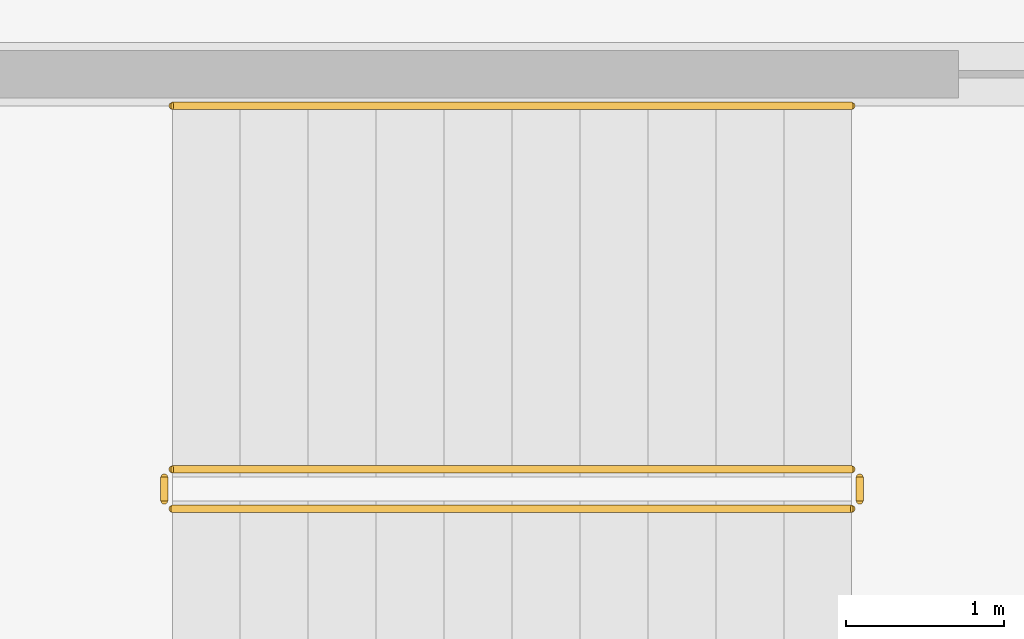
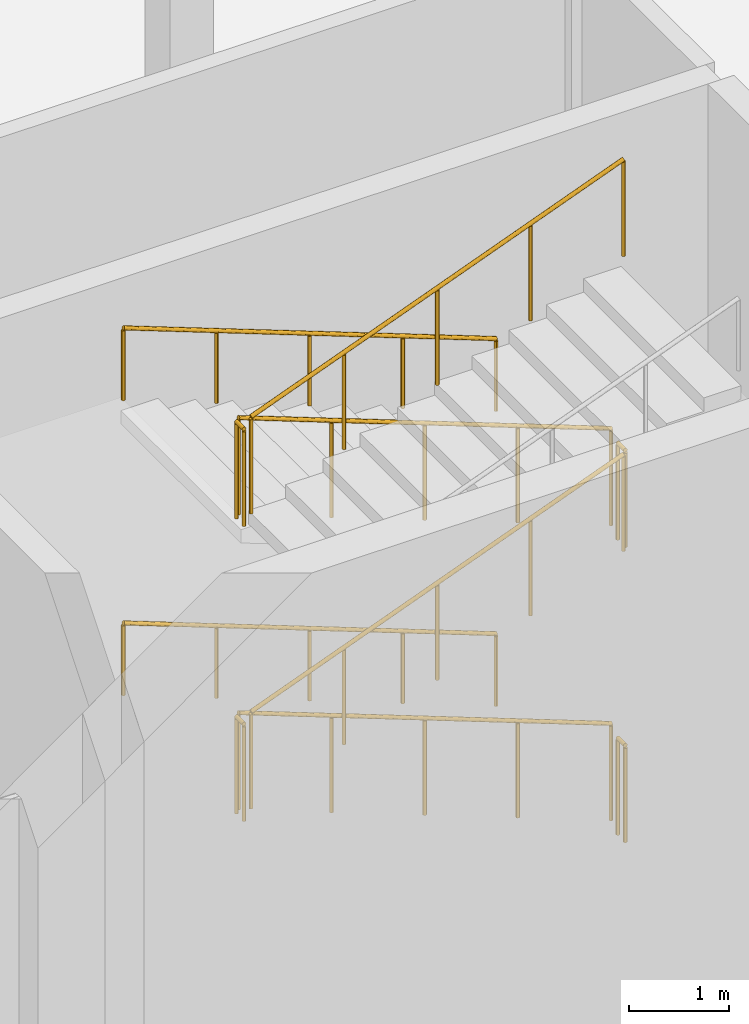
# One storey, part 202 of 239: 10 railings.
"""IFC4 building model written with IfcOpenShell, lengths in metres."""

from ifc_helpers import new_model, si_unit, direction, frame, origin, origin_2d, place, context, subcontext, project, spatial, circle, extrude, material, type_object, element, save


model = new_model("IFC4")

# Units and contexts
model_context = context("Model", 3, precision=1e-05, world=origin(), true_north=direction((0.0, 1.0)))
body_context = subcontext(model_context, "Body", "Model", "MODEL_VIEW")
ifc_project = project(units=[si_unit("LENGTHUNIT", "METRE"), si_unit("AREAUNIT", "SQUARE_METRE"), si_unit("VOLUMEUNIT", "CUBIC_METRE"), si_unit("PLANEANGLEUNIT", "RADIAN"), si_unit("MASSUNIT", "GRAM", prefix="KILO")], contexts=[model_context])

# Site, building, storey
site_placement = place(None, origin())
site = spatial("IfcSite", under=ifc_project, at=site_placement, CompositionType="ELEMENT")
building_placement = place(site_placement, origin())
building = spatial("IfcBuilding", under=site, at=building_placement, Name="Okhra Congress Centre", CompositionType="ELEMENT")
storey_placement = place(building_placement, origin())
storey = spatial("IfcBuildingStorey", under=building, at=storey_placement, Name="L00", CompositionType="ELEMENT", Elevation=0.0)

# Railings
ifc_material_1 = material(Name="Painted steel tube handrail on wall brackets", Category="steel")
railing_type_1 = type_object("IfcRailingType", Name="Steel handrail 900", PredefinedType="HANDRAIL", material=ifc_material_1)
railing_1_placement = place(storey_placement, frame((33.375, 41.125, 0.16357421875)))
element("IfcRailing", 1, at=railing_1_placement, inside=storey, type_object=railing_type_1, Name="L00 R4 stair handrail 1", PredefinedType="HANDRAIL", context=body_context, shape_type="SweptSolid", body=[
    extrude(circle(Radius=0.02392578125, at=origin_2d()), frame((0.0, 0.0, 0.8759765625), z_axis=(-0.934606208977, 0.0, 0.355684177526), x_axis=(0.0, -1.0, 0.0)), (0.0, 0.0, 1.0), 4.600830078125),
    extrude(circle(Radius=0.02099609375, at=origin_2d()), origin(), (0.0, 0.0, 1.0), 0.851806640625),
    extrude(circle(Radius=0.02099609375, at=origin_2d()), frame((-1.074951171875, 0.0, 0.4091796875)), (0.0, 0.0, 1.0), 0.851806640625),
    extrude(circle(Radius=0.02099609375, at=origin_2d()), frame((-2.14990234375, 0.0, 0.818359375)), (0.0, 0.0, 1.0), 0.851806640625),
    extrude(circle(Radius=0.02099609375, at=origin_2d()), frame((-3.22509765625, 0.0, 1.227294921875)), (0.0, 0.0, 1.0), 0.851806640625),
    extrude(circle(Radius=0.02099609375, at=origin_2d()), frame((-4.300048828125, 0.0, 1.636474609375)), (0.0, 0.0, 1.0), 0.851806640625),
])
railing_2_placement = place(storey_placement, frame((33.375, 41.125, 3.763671875)))
element("IfcRailing", 2, at=railing_2_placement, inside=storey, type_object=railing_type_1, Name="L00 R4 stair handrail 3", PredefinedType="HANDRAIL", context=body_context, shape_type="SweptSolid", body=[
    extrude(circle(Radius=0.02392578125, at=origin_2d()), frame((0.0, 0.0, 0.8759765625), z_axis=(-0.934623847752, 0.0, 0.355637825903), x_axis=(0.0, -1.0, 0.0)), (0.0, 0.0, 1.0), 4.600830078125),
    extrude(circle(Radius=0.02099609375, at=origin_2d()), origin(), (0.0, 0.0, 1.0), 0.851806640625),
    extrude(circle(Radius=0.02099609375, at=origin_2d()), frame((-1.074951171875, 0.0, 0.4091796875)), (0.0, 0.0, 1.0), 0.851806640625),
    extrude(circle(Radius=0.02099609375, at=origin_2d()), frame((-2.14990234375, 0.0, 0.818115234375)), (0.0, 0.0, 1.0), 0.851806640625),
    extrude(circle(Radius=0.02099609375, at=origin_2d()), frame((-3.22509765625, 0.0, 1.22705078125)), (0.0, 0.0, 1.0), 0.851806640625),
    extrude(circle(Radius=0.02099609375, at=origin_2d()), frame((-4.300048828125, 0.0, 1.63623046875)), (0.0, 0.0, 1.0), 0.851806640625),
])
ifc_material_2 = material(Name="Painted steel tube guard with vertical steel balusters", Category="steel")
railing_type_2 = type_object("IfcRailingType", Name="Steel stair guard 1200", PredefinedType="GUARDRAIL", material=ifc_material_2)
railing_3_placement = place(storey_placement, frame((33.375, 38.824951171875, 0.16357421875)))
element("IfcRailing", 3, at=railing_3_placement, inside=storey, type_object=railing_type_2, Name="L00 R4 stair guard 1", PredefinedType="GUARDRAIL", context=body_context, shape_type="SweptSolid", body=[
    extrude(circle(Radius=0.02392578125, at=origin_2d()), frame((0.0, 0.0, 1.17578125), z_axis=(-0.934606208977, 0.0, 0.355684177526), x_axis=(0.0, -1.0, 0.0)), (0.0, 0.0, 1.0), 4.600830078125),
    extrude(circle(Radius=0.02099609375, at=origin_2d()), origin(), (0.0, 0.0, 1.0), 1.15185546875),
    extrude(circle(Radius=0.02099609375, at=origin_2d()), frame((-1.074951171875, 0.0, 0.4091796875)), (0.0, 0.0, 1.0), 1.15185546875),
    extrude(circle(Radius=0.02099609375, at=origin_2d()), frame((-2.14990234375, 0.0, 0.818359375)), (0.0, 0.0, 1.0), 1.15185546875),
    extrude(circle(Radius=0.02099609375, at=origin_2d()), frame((-3.22509765625, 0.0, 1.227294921875)), (0.0, 0.0, 1.0), 1.15185546875),
    extrude(circle(Radius=0.02099609375, at=origin_2d()), frame((-4.300048828125, 0.0, 1.636474609375)), (0.0, 0.0, 1.0), 1.15185546875),
])
railing_4_placement = place(storey_placement, frame((29.02490234375, 38.77490234375, 1.800048828125)))
element("IfcRailing", 4, at=railing_4_placement, inside=storey, type_object=railing_type_2, Name="L00 R4 stair guard 2", PredefinedType="GUARDRAIL", context=body_context, shape_type="SweptSolid", body=[
    extrude(circle(Radius=0.02392578125, at=origin_2d()), frame((0.0, 0.0, 1.17578125), z_axis=(0.0, -1.0, 0.0), x_axis=(1.0, 0.0, 0.0)), (0.0, 0.0, 1.0), 0.14990234375),
    extrude(circle(Radius=0.02099609375, at=origin_2d()), origin(), (0.0, 0.0, 1.0), 1.15185546875),
    extrude(circle(Radius=0.02099609375, at=origin_2d()), frame((0.0, -0.14990234375, 0.0)), (0.0, 0.0, 1.0), 1.15185546875),
])
railing_5_placement = place(storey_placement, frame((29.074951171875, 38.574951171875, 1.963623046875)))
element("IfcRailing", 5, at=railing_5_placement, inside=storey, type_object=railing_type_2, Name="L00 R4 stair guard 3", PredefinedType="GUARDRAIL", context=body_context, shape_type="SweptSolid", body=[
    extrude(circle(Radius=0.02392578125, at=origin_2d()), frame((0.0, 0.0, 1.17578125), z_axis=(0.934606208977, 0.0, 0.355684177526), x_axis=(0.0, 1.0, 0.0)), (0.0, 0.0, 1.0), 4.600830078125),
    extrude(circle(Radius=0.02099609375, at=origin_2d()), origin(), (0.0, 0.0, 1.0), 1.15185546875),
    extrude(circle(Radius=0.02099609375, at=origin_2d()), frame((1.074951171875, 0.0, 0.4091796875)), (0.0, 0.0, 1.0), 1.15185546875),
    extrude(circle(Radius=0.02099609375, at=origin_2d()), frame((2.14990234375, 0.0, 0.818359375)), (0.0, 0.0, 1.0), 1.15185546875),
    extrude(circle(Radius=0.02099609375, at=origin_2d()), frame((3.22509765625, 0.0, 1.227294921875)), (0.0, 0.0, 1.0), 1.15185546875),
    extrude(circle(Radius=0.02099609375, at=origin_2d()), frame((4.300048828125, 0.0, 1.636474609375)), (0.0, 0.0, 1.0), 1.15185546875),
])
railing_6_placement = place(storey_placement, frame((33.425048828125, 38.77490234375, 3.60009765625)))
element("IfcRailing", 6, at=railing_6_placement, inside=storey, type_object=railing_type_2, Name="L00 R4 stair guard 4", PredefinedType="GUARDRAIL", context=body_context, shape_type="SweptSolid", body=[
    extrude(circle(Radius=0.02392578125, at=origin_2d()), frame((0.0, 0.0, 1.17578125), z_axis=(0.0, -1.0, 0.0), x_axis=(1.0, 0.0, 0.0)), (0.0, 0.0, 1.0), 0.14990234375),
    extrude(circle(Radius=0.02099609375, at=origin_2d()), origin(), (0.0, 0.0, 1.0), 1.15185546875),
    extrude(circle(Radius=0.02099609375, at=origin_2d()), frame((0.0, -0.14990234375, 0.0)), (0.0, 0.0, 1.0), 1.15185546875),
])
railing_7_placement = place(storey_placement, frame((33.375, 38.824951171875, 3.763671875)))
element("IfcRailing", 7, at=railing_7_placement, inside=storey, type_object=railing_type_2, Name="L00 R4 stair guard 5", PredefinedType="GUARDRAIL", context=body_context, shape_type="SweptSolid", body=[
    extrude(circle(Radius=0.02392578125, at=origin_2d()), frame((0.0, 0.0, 1.17578125), z_axis=(-0.934623847752, 0.0, 0.355637825903), x_axis=(0.0, -1.0, 0.0)), (0.0, 0.0, 1.0), 4.600830078125),
    extrude(circle(Radius=0.02099609375, at=origin_2d()), origin(), (0.0, 0.0, 1.0), 1.15185546875),
    extrude(circle(Radius=0.02099609375, at=origin_2d()), frame((-1.074951171875, 0.0, 0.4091796875)), (0.0, 0.0, 1.0), 1.15185546875),
    extrude(circle(Radius=0.02099609375, at=origin_2d()), frame((-2.14990234375, 0.0, 0.818115234375)), (0.0, 0.0, 1.0), 1.15185546875),
    extrude(circle(Radius=0.02099609375, at=origin_2d()), frame((-3.22509765625, 0.0, 1.22705078125)), (0.0, 0.0, 1.0), 1.15185546875),
    extrude(circle(Radius=0.02099609375, at=origin_2d()), frame((-4.300048828125, 0.0, 1.63623046875)), (0.0, 0.0, 1.0), 1.15185546875),
])
railing_8_placement = place(storey_placement, frame((29.02490234375, 38.77490234375, 5.39990234375)))
element("IfcRailing", 8, at=railing_8_placement, inside=storey, type_object=railing_type_2, Name="L00 R4 stair guard 6", PredefinedType="GUARDRAIL", context=body_context, shape_type="SweptSolid", body=[
    extrude(circle(Radius=0.02392578125, at=origin_2d()), frame((0.0, 0.0, 1.17578125), z_axis=(0.0, -1.0, 0.0), x_axis=(1.0, 0.0, 0.0)), (0.0, 0.0, 1.0), 0.14990234375),
    extrude(circle(Radius=0.02099609375, at=origin_2d()), origin(), (0.0, 0.0, 1.0), 1.15185546875),
    extrude(circle(Radius=0.02099609375, at=origin_2d()), frame((0.0, -0.14990234375, 0.0)), (0.0, 0.0, 1.0), 1.15185546875),
])
railing_9_placement = place(storey_placement, frame((29.074951171875, 38.574951171875, 5.563720703125)))
element("IfcRailing", 9, at=railing_9_placement, inside=storey, type_object=railing_type_2, Name="L00 R4 stair guard 7", PredefinedType="GUARDRAIL", context=body_context, shape_type="SweptSolid", body=[
    extrude(circle(Radius=0.02392578125, at=origin_2d()), frame((0.0, 0.0, 1.17578125), z_axis=(0.934623847752, 0.0, 0.355637825903), x_axis=(0.0, 1.0, 0.0)), (0.0, 0.0, 1.0), 4.600830078125),
    extrude(circle(Radius=0.02099609375, at=origin_2d()), origin(), (0.0, 0.0, 1.0), 1.15185546875),
    extrude(circle(Radius=0.02099609375, at=origin_2d()), frame((1.074951171875, 0.0, 0.4091796875)), (0.0, 0.0, 1.0), 1.15185546875),
    extrude(circle(Radius=0.02099609375, at=origin_2d()), frame((2.14990234375, 0.0, 0.818115234375)), (0.0, 0.0, 1.0), 1.15185546875),
    extrude(circle(Radius=0.02099609375, at=origin_2d()), frame((3.22509765625, 0.0, 1.22705078125)), (0.0, 0.0, 1.0), 1.15185546875),
    extrude(circle(Radius=0.02099609375, at=origin_2d()), frame((4.300048828125, 0.0, 1.63623046875)), (0.0, 0.0, 1.0), 1.15185546875),
])
railing_10_placement = place(storey_placement, frame((33.425048828125, 38.77490234375, 0.0)))
element("IfcRailing", 10, at=railing_10_placement, inside=storey, type_object=railing_type_2, Name="L00 R4 stair guard 8", PredefinedType="GUARDRAIL", context=body_context, shape_type="SweptSolid", body=[
    extrude(circle(Radius=0.02392578125, at=origin_2d()), frame((0.0, 0.0, 1.17578125), z_axis=(0.0, -1.0, 0.0), x_axis=(1.0, 0.0, 0.0)), (0.0, 0.0, 1.0), 0.14990234375),
    extrude(circle(Radius=0.02099609375, at=origin_2d()), origin(), (0.0, 0.0, 1.0), 1.15185546875),
    extrude(circle(Radius=0.02099609375, at=origin_2d()), frame((0.0, -0.14990234375, 0.0)), (0.0, 0.0, 1.0), 1.15185546875),
])

save(model, "model.ifc")
